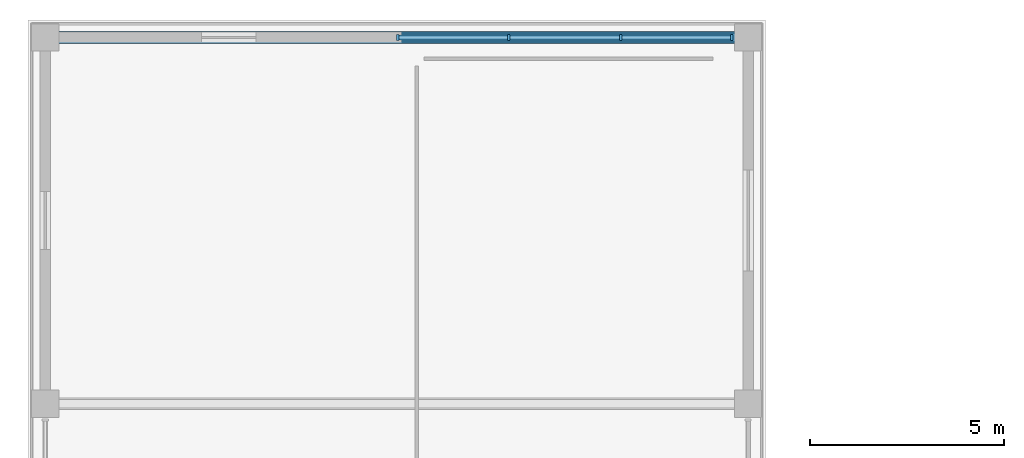
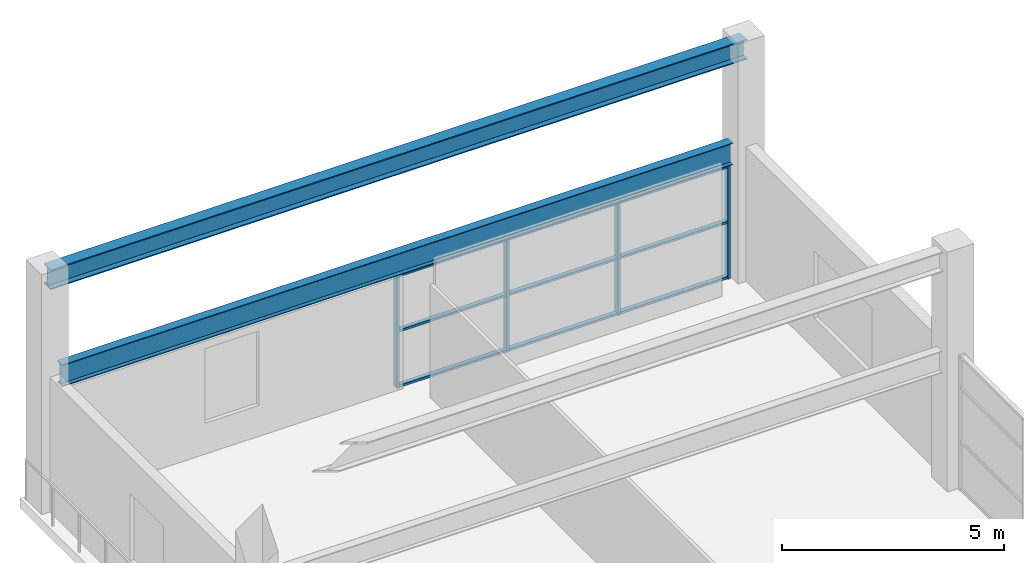
# One storey, part 37 of 72: 13 members, 2 beams, 1 element without a shape of its own.
"""IFC4 building model written with IfcOpenShell, lengths in metres."""

from ifc_helpers import new_model, si_unit, direction, frame, origin, origin_2d, place, context, subcontext, project, spatial, rectangle, i_section, extrude, material, material_profile, profile_set, type_object, element, aggregate, save


model = new_model("IFC4")

# Units and contexts
model_context = context("Model", 3, precision=1e-05, world=origin(), true_north=direction((0.0, 1.0)))
body_context = subcontext(model_context, "Body", "Model", "MODEL_VIEW")
ifc_project = project(units=[si_unit("LENGTHUNIT", "METRE"), si_unit("AREAUNIT", "SQUARE_METRE"), si_unit("VOLUMEUNIT", "CUBIC_METRE"), si_unit("PLANEANGLEUNIT", "RADIAN"), si_unit("MASSUNIT", "GRAM", prefix="KILO")], contexts=[model_context])

# Site, building, storey
site_placement = place(None, origin())
site = spatial("IfcSite", under=ifc_project, at=site_placement, CompositionType="ELEMENT")
building_placement = place(site_placement, origin())
building = spatial("IfcBuilding", under=site, at=building_placement, Name="Saryqyr Civic Hall", CompositionType="ELEMENT")
storey_placement = place(building_placement, frame((0.0, 0.0, 17.25)))
storey = spatial("IfcBuildingStorey", under=building, at=storey_placement, Name="L04", CompositionType="ELEMENT", Elevation=17.25)

# Curtain wall, members
ifc_material_1 = material(Name="Anodised aluminium and triple low-E glass", Category="aluminium")
curtain_wall_type = type_object("IfcCurtainWallType", Name="ENV-CW-STD-57", PredefinedType="NOTDEFINED", material=ifc_material_1)
curtain_wall_placement = place(storey_placement, origin())
curtain_wall = element("IfcCurtainWall", 1, at=curtain_wall_placement, inside=storey, type_object=curtain_wall_type, Name="Curtain wall V3-CW-L04-2-1", PredefinedType="NOTDEFINED")
ifc_material_2 = material(Name="Anodised aluminium", Category="aluminium")
ifc_material_profile_1 = material_profile(ifc_material_2, rectangle(XDim=0.06005859375, YDim=0.159912109375, at=origin_2d()), Name="ALU MULLION 60x160")
ifc_profile_set_1 = profile_set([ifc_material_profile_1], Name="Anodised aluminium")
member_type_1 = type_object("IfcMemberType", Name="ENV-CW-MUL-180", PredefinedType="MULLION", material=ifc_profile_set_1)
member_1_placement = place(storey_placement, frame((17.1298828125, 165.14990234375, 0.0), z_axis=(0.0, 0.0, 1.0), x_axis=(1.0, 0.0, 0.0)))
member_1 = element("IfcMember", 2, at=member_1_placement, type_object=member_type_1, Name="CW-57 mullion 1", PredefinedType="MULLION", context=body_context, shape_type="SweptSolid", body=[
    extrude(rectangle(XDim=0.06005859375, YDim=0.159912109375, at=origin_2d()), origin(), (0.0, 0.0, 1.0), 3.10498046875),
])
member_2_placement = place(storey_placement, frame((19.986572265625, 165.14990234375, 0.0), z_axis=(0.0, 0.0, 1.0), x_axis=(1.0, 0.0, 0.0)))
member_2 = element("IfcMember", 3, at=member_2_placement, type_object=member_type_1, Name="CW-57 mullion 2", PredefinedType="MULLION", context=body_context, shape_type="SweptSolid", body=[
    extrude(rectangle(XDim=0.06005859375, YDim=0.159912109375, at=origin_2d()), origin(), (0.0, 0.0, 1.0), 3.10498046875),
])
member_3_placement = place(storey_placement, frame((22.873291015625, 165.14990234375, 0.0), z_axis=(0.0, 0.0, 1.0), x_axis=(1.0, 0.0, 0.0)))
member_3 = element("IfcMember", 4, at=member_3_placement, type_object=member_type_1, Name="CW-57 mullion 3", PredefinedType="MULLION", context=body_context, shape_type="SweptSolid", body=[
    extrude(rectangle(XDim=0.06005859375, YDim=0.159912109375, at=origin_2d()), origin(), (0.0, 0.0, 1.0), 3.10498046875),
])
member_4_placement = place(storey_placement, frame((25.72998046875, 165.14990234375, 0.0), z_axis=(0.0, 0.0, 1.0), x_axis=(1.0, 0.0, 0.0)))
member_4 = element("IfcMember", 5, at=member_4_placement, type_object=member_type_1, Name="CW-57 mullion 4", PredefinedType="MULLION", context=body_context, shape_type="SweptSolid", body=[
    extrude(rectangle(XDim=0.06005859375, YDim=0.159912109375, at=origin_2d()), origin(), (0.0, 0.0, 1.0), 3.10498046875),
])
ifc_material_profile_2 = material_profile(ifc_material_2, rectangle(XDim=0.1201171875, YDim=0.06005859375, at=origin_2d()), Name="ALU TRANSOM 120x60")
ifc_profile_set_2 = profile_set([ifc_material_profile_2], Name="Anodised aluminium")
member_type_2 = type_object("IfcMemberType", Name="ENV-CW-TRN-150", PredefinedType="USERDEFINED", material=ifc_profile_set_2)
member_5_placement = place(storey_placement, frame((17.159912109375, 165.14990234375, 0.030029296875), z_axis=(1.0, 0.0, 0.0), x_axis=(0.0, 1.0, 0.0)))
member_5 = element("IfcMember", 6, at=member_5_placement, type_object=member_type_2, Name="CW-57 transom 1.1", ObjectType="TRANSOM", PredefinedType="USERDEFINED", context=body_context, shape_type="SweptSolid", body=[
    extrude(rectangle(XDim=0.1201171875, YDim=0.06005859375, at=origin_2d()), origin(), (0.0, 0.0, 1.0), 2.796875),
])
member_6_placement = place(storey_placement, frame((17.159912109375, 165.14990234375, 1.552001953125), z_axis=(1.0, 0.0, 0.0), x_axis=(0.0, 1.0, 0.0)))
member_6 = element("IfcMember", 7, at=member_6_placement, type_object=member_type_2, Name="CW-57 transom 1.2", ObjectType="TRANSOM", PredefinedType="USERDEFINED", context=body_context, shape_type="SweptSolid", body=[
    extrude(rectangle(XDim=0.1201171875, YDim=0.06005859375, at=origin_2d()), origin(), (0.0, 0.0, 1.0), 2.796875),
])
member_7_placement = place(storey_placement, frame((17.159912109375, 165.14990234375, 3.074951171875), z_axis=(1.0, 0.0, 0.0), x_axis=(0.0, 1.0, 0.0)))
member_7 = element("IfcMember", 8, at=member_7_placement, type_object=member_type_2, Name="CW-57 transom 1.3", ObjectType="TRANSOM", PredefinedType="USERDEFINED", context=body_context, shape_type="SweptSolid", body=[
    extrude(rectangle(XDim=0.1201171875, YDim=0.06005859375, at=origin_2d()), origin(), (0.0, 0.0, 1.0), 2.796875),
])
member_8_placement = place(storey_placement, frame((20.0166015625, 165.14990234375, 0.030029296875), z_axis=(1.0, 0.0, 0.0), x_axis=(0.0, 1.0, 0.0)))
member_8 = element("IfcMember", 9, at=member_8_placement, type_object=member_type_2, Name="CW-57 transom 2.1", ObjectType="TRANSOM", PredefinedType="USERDEFINED", context=body_context, shape_type="SweptSolid", body=[
    extrude(rectangle(XDim=0.1201171875, YDim=0.06005859375, at=origin_2d()), origin(), (0.0, 0.0, 1.0), 2.82666015625),
])
member_9_placement = place(storey_placement, frame((20.0166015625, 165.14990234375, 1.552001953125), z_axis=(1.0, 0.0, 0.0), x_axis=(0.0, 1.0, 0.0)))
member_9 = element("IfcMember", 10, at=member_9_placement, type_object=member_type_2, Name="CW-57 transom 2.2", ObjectType="TRANSOM", PredefinedType="USERDEFINED", context=body_context, shape_type="SweptSolid", body=[
    extrude(rectangle(XDim=0.1201171875, YDim=0.06005859375, at=origin_2d()), origin(), (0.0, 0.0, 1.0), 2.82666015625),
])
member_10_placement = place(storey_placement, frame((20.0166015625, 165.14990234375, 3.074951171875), z_axis=(1.0, 0.0, 0.0), x_axis=(0.0, 1.0, 0.0)))
member_10 = element("IfcMember", 11, at=member_10_placement, type_object=member_type_2, Name="CW-57 transom 2.3", ObjectType="TRANSOM", PredefinedType="USERDEFINED", context=body_context, shape_type="SweptSolid", body=[
    extrude(rectangle(XDim=0.1201171875, YDim=0.06005859375, at=origin_2d()), origin(), (0.0, 0.0, 1.0), 2.82666015625),
])
member_11_placement = place(storey_placement, frame((22.9033203125, 165.14990234375, 0.030029296875), z_axis=(1.0, 0.0, 0.0), x_axis=(0.0, 1.0, 0.0)))
member_11 = element("IfcMember", 12, at=member_11_placement, type_object=member_type_2, Name="CW-57 transom 3.1", ObjectType="TRANSOM", PredefinedType="USERDEFINED", context=body_context, shape_type="SweptSolid", body=[
    extrude(rectangle(XDim=0.1201171875, YDim=0.06005859375, at=origin_2d()), origin(), (0.0, 0.0, 1.0), 2.796630859375),
])
member_12_placement = place(storey_placement, frame((22.9033203125, 165.14990234375, 1.552001953125), z_axis=(1.0, 0.0, 0.0), x_axis=(0.0, 1.0, 0.0)))
member_12 = element("IfcMember", 13, at=member_12_placement, type_object=member_type_2, Name="CW-57 transom 3.2", ObjectType="TRANSOM", PredefinedType="USERDEFINED", context=body_context, shape_type="SweptSolid", body=[
    extrude(rectangle(XDim=0.1201171875, YDim=0.06005859375, at=origin_2d()), origin(), (0.0, 0.0, 1.0), 2.796630859375),
])
member_13_placement = place(storey_placement, frame((22.9033203125, 165.14990234375, 3.074951171875), z_axis=(1.0, 0.0, 0.0), x_axis=(0.0, 1.0, 0.0)))
member_13 = element("IfcMember", 14, at=member_13_placement, type_object=member_type_2, Name="CW-57 transom 3.3", ObjectType="TRANSOM", PredefinedType="USERDEFINED", context=body_context, shape_type="SweptSolid", body=[
    extrude(rectangle(XDim=0.1201171875, YDim=0.06005859375, at=origin_2d()), origin(), (0.0, 0.0, 1.0), 2.796630859375),
])
aggregate(curtain_wall, [member_1, member_2, member_3, member_4, member_5, member_6, member_7, member_8, member_9, member_10, member_11, member_12, member_13])

# Beams
ifc_material_3 = material(Name="Steel S355", Category="steel")
ifc_material_profile_3 = material_profile(ifc_material_3, i_section(OverallWidth=0.300048828125, OverallDepth=0.550048828125, WebThickness=0.014892578125, FlangeThickness=0.029052734375, at=origin_2d()), Name="HEB 550")
ifc_profile_set_3 = profile_set([ifc_material_profile_3], Name="Steel S355")
beam_type_1 = type_object("IfcBeamType", Name="STR-BM-HEB550", PredefinedType="BEAM", material=ifc_profile_set_3)
beam_1_placement = place(storey_placement, frame((8.050048828125, 165.14990234375, 6.2099609375), z_axis=(1.0, 0.0, 0.0), x_axis=(0.0, 1.0, 0.0)))
element("IfcBeam", 15, at=beam_1_placement, inside=storey, type_object=beam_type_1, Name="Reading Hall sawtooth ridge girder 6", PredefinedType="BEAM", context=body_context, shape_type="SweptSolid", body=[
    extrude(i_section(OverallWidth=0.300048828125, OverallDepth=0.550048828125, WebThickness=0.014892578125, FlangeThickness=0.029052734375, at=origin_2d()), origin(), (0.0, 0.0, 1.0), 18.099853515625),
])
ifc_material_profile_4 = material_profile(ifc_material_3, i_section(OverallWidth=0.219970703125, OverallDepth=0.60009765625, WebThickness=0.011962890625, FlangeThickness=0.01904296875, at=origin_2d()), Name="IPE 600")
ifc_profile_set_4 = profile_set([ifc_material_profile_4], Name="Steel S355")
beam_type_2 = type_object("IfcBeamType", Name="STR-BM-IPE600", PredefinedType="BEAM", material=ifc_profile_set_4)
beam_2_placement = place(storey_placement, frame((8.375, 165.14990234375, 3.429931640625), z_axis=(1.0, 0.0, 0.0), x_axis=(0.0, 1.0, 0.0)))
element("IfcBeam", 16, at=beam_2_placement, inside=storey, type_object=beam_type_2, Name="Beam V3-SAW-VGB-6", PredefinedType="BEAM", context=body_context, shape_type="SweptSolid", body=[
    extrude(i_section(OverallWidth=0.219970703125, OverallDepth=0.60009765625, WebThickness=0.011962890625, FlangeThickness=0.01904296875, at=origin_2d()), origin(), (0.0, 0.0, 1.0), 17.449951171875),
])

save(model, "model.ifc")
